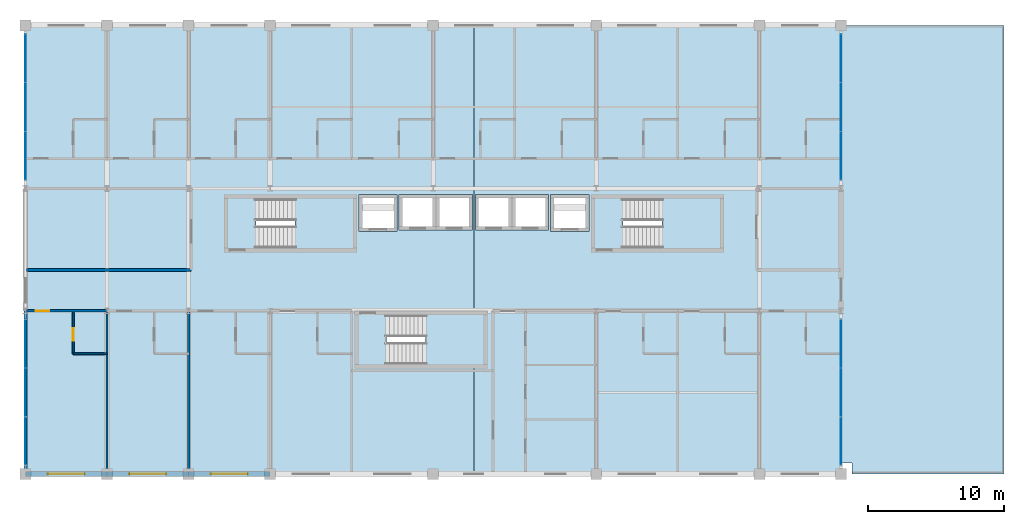
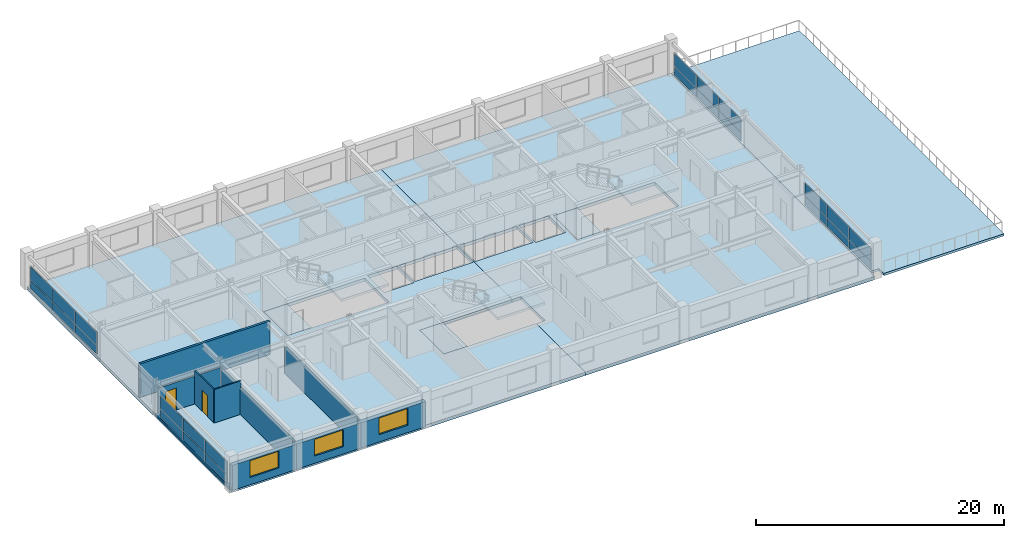
# One storey, part 20 of 27: 24 plates, 10 walls, 9 slabs, 3 windows, 2 doors, 5 openings, 7 elements without a shape of their own.
"""IFC4 building model written with IfcOpenShell, lengths in metres."""

from ifc_helpers import new_model, si_unit, direction, frame, frame_2d, origin, origin_2d, place, context, subcontext, project, spatial, polyline, rectangle, outline, extrude, material, layer, layer_set, type_object, element, fill, aggregate, save


model = new_model("IFC4")

# Units and contexts
model_context = context("Model", 3, precision=1e-05, world=origin(), true_north=direction((0.0, 1.0)))
body_context = subcontext(model_context, "Body", "Model", "MODEL_VIEW")
ifc_project = project(units=[si_unit("LENGTHUNIT", "METRE"), si_unit("AREAUNIT", "SQUARE_METRE"), si_unit("VOLUMEUNIT", "CUBIC_METRE"), si_unit("PLANEANGLEUNIT", "RADIAN"), si_unit("MASSUNIT", "GRAM", prefix="KILO")], contexts=[model_context])

# Site, building, storey
site_placement = place(None, origin())
site = spatial("IfcSite", under=ifc_project, at=site_placement, CompositionType="ELEMENT")
building_placement = place(site_placement, origin())
building = spatial("IfcBuilding", under=site, at=building_placement, Name="Kaldorvane Square Convention Centre", CompositionType="ELEMENT")
storey_placement = place(building_placement, frame((0.0, 0.0, 38.399993896484375)))
storey = spatial("IfcBuildingStorey", under=building, at=storey_placement, Name="L08", CompositionType="ELEMENT", Elevation=38.399993896484375)

# Curtain wall, plates
ifc_material_1 = material(Name="Anodized Aluminum and Low-E Insulated Glazing", Category="aluminium")
curtain_wall_type_1 = type_object("IfcCurtainWallType", Name="CW-UNI-HTL-A", PredefinedType="USERDEFINED", material=ifc_material_1)
curtain_wall_1_placement = place(storey_placement, origin())
curtain_wall_1 = element("IfcCurtainWall", 1, at=curtain_wall_1_placement, inside=storey, type_object=curtain_wall_type_1, Name="Curtain Wall CW-10 (L08)", ObjectType="UNITISED GLAZING", PredefinedType="USERDEFINED")
ifc_layer_1 = layer(ifc_material_1, 0.0240020751953125)
ifc_layer_set_1 = layer_set([ifc_layer_1], Name="Anodized Aluminum and Low-E Insulated Glazing")
plate_type_1 = type_object("IfcPlateType", Name="CW-PNL-11", PredefinedType="CURTAIN_PANEL", material=ifc_layer_set_1)
plate_1_placement = place(storey_placement, frame((84.0, 86.41499328613281, 0.2050018310546875), z_axis=(0.0, 0.0, 1.0), x_axis=(0.0, 1.0, 0.0)))
plate_1 = element("IfcPlate", 2, at=plate_1_placement, type_object=plate_type_1, Name="CW-10 panel 1.1", PredefinedType="CURTAIN_PANEL", context=body_context, shape_type="SweptSolid", body=[
    extrude(rectangle(XDim=3.5099945068359375, YDim=0.0240020751953125, at=origin_2d()), origin(), (0.0, 0.0, 1.0), 0.8175048828125),
])
plate_2_placement = place(storey_placement, frame((84.0, 86.41499328613281, 1.0775146484375), z_axis=(0.0, 0.0, 1.0), x_axis=(0.0, 1.0, 0.0)))
plate_2 = element("IfcPlate", 3, at=plate_2_placement, type_object=plate_type_1, Name="CW-10 panel 1.2", PredefinedType="CURTAIN_PANEL", context=body_context, shape_type="SweptSolid", body=[
    extrude(rectangle(XDim=3.5099945068359375, YDim=0.0240020751953125, at=origin_2d()), origin(), (0.0, 0.0, 1.0), 1.277496337890625),
])
plate_3_placement = place(storey_placement, frame((84.0, 90.0, 0.2050018310546875), z_axis=(0.0, 0.0, 1.0), x_axis=(0.0, 1.0, 0.0)))
plate_3 = element("IfcPlate", 4, at=plate_3_placement, type_object=plate_type_1, Name="CW-10 panel 2.1", PredefinedType="CURTAIN_PANEL", context=body_context, shape_type="SweptSolid", body=[
    extrude(rectangle(XDim=3.5399932861328125, YDim=0.0240020751953125, at=origin_2d()), origin(), (0.0, 0.0, 1.0), 0.8175048828125),
])
plate_4_placement = place(storey_placement, frame((84.0, 90.0, 1.0775146484375), z_axis=(0.0, 0.0, 1.0), x_axis=(0.0, 1.0, 0.0)))
plate_4 = element("IfcPlate", 5, at=plate_4_placement, type_object=plate_type_1, Name="CW-10 panel 2.2", PredefinedType="CURTAIN_PANEL", context=body_context, shape_type="SweptSolid", body=[
    extrude(rectangle(XDim=3.5399932861328125, YDim=0.0240020751953125, at=origin_2d()), origin(), (0.0, 0.0, 1.0), 1.277496337890625),
])
plate_5_placement = place(storey_placement, frame((84.0, 93.58500671386719, 0.2050018310546875), z_axis=(0.0, 0.0, 1.0), x_axis=(0.0, 1.0, 0.0)))
plate_5 = element("IfcPlate", 6, at=plate_5_placement, type_object=plate_type_1, Name="CW-10 panel 3.1", PredefinedType="CURTAIN_PANEL", context=body_context, shape_type="SweptSolid", body=[
    extrude(rectangle(XDim=3.5099945068359375, YDim=0.0240020751953125, at=origin_2d()), origin(), (0.0, 0.0, 1.0), 0.8175048828125),
])
plate_6_placement = place(storey_placement, frame((84.0, 93.58500671386719, 1.0775146484375), z_axis=(0.0, 0.0, 1.0), x_axis=(0.0, 1.0, 0.0)))
plate_6 = element("IfcPlate", 7, at=plate_6_placement, type_object=plate_type_1, Name="CW-10 panel 3.2", PredefinedType="CURTAIN_PANEL", context=body_context, shape_type="SweptSolid", body=[
    extrude(rectangle(XDim=3.5099945068359375, YDim=0.0240020751953125, at=origin_2d()), origin(), (0.0, 0.0, 1.0), 1.277496337890625),
])
aggregate(curtain_wall_1, [plate_1, plate_2, plate_3, plate_4, plate_5, plate_6])

curtain_wall_2_placement = place(storey_placement, origin())
curtain_wall_2 = element("IfcCurtainWall", 8, at=curtain_wall_2_placement, inside=storey, type_object=curtain_wall_type_1, Name="Curtain Wall CW-10 (L08)", ObjectType="UNITISED GLAZING", PredefinedType="USERDEFINED")
plate_7_placement = place(storey_placement, frame((84.0, 107.41499328613281, 0.2050018310546875), z_axis=(0.0, 0.0, 1.0), x_axis=(0.0, 1.0, 0.0)))
plate_7 = element("IfcPlate", 9, at=plate_7_placement, type_object=plate_type_1, Name="CW-10 panel 1.1", PredefinedType="CURTAIN_PANEL", context=body_context, shape_type="SweptSolid", body=[
    extrude(rectangle(XDim=3.5099945068359375, YDim=0.0240020751953125, at=origin_2d()), origin(), (0.0, 0.0, 1.0), 0.8175048828125),
])
plate_8_placement = place(storey_placement, frame((84.0, 107.41499328613281, 1.0775146484375), z_axis=(0.0, 0.0, 1.0), x_axis=(0.0, 1.0, 0.0)))
plate_8 = element("IfcPlate", 10, at=plate_8_placement, type_object=plate_type_1, Name="CW-10 panel 1.2", PredefinedType="CURTAIN_PANEL", context=body_context, shape_type="SweptSolid", body=[
    extrude(rectangle(XDim=3.5099945068359375, YDim=0.0240020751953125, at=origin_2d()), origin(), (0.0, 0.0, 1.0), 1.277496337890625),
])
plate_9_placement = place(storey_placement, frame((84.0, 111.0, 0.2050018310546875), z_axis=(0.0, 0.0, 1.0), x_axis=(0.0, 1.0, 0.0)))
plate_9 = element("IfcPlate", 11, at=plate_9_placement, type_object=plate_type_1, Name="CW-10 panel 2.1", PredefinedType="CURTAIN_PANEL", context=body_context, shape_type="SweptSolid", body=[
    extrude(rectangle(XDim=3.5399932861328125, YDim=0.0240020751953125, at=origin_2d()), origin(), (0.0, 0.0, 1.0), 0.8175048828125),
])
plate_10_placement = place(storey_placement, frame((84.0, 111.0, 1.0775146484375), z_axis=(0.0, 0.0, 1.0), x_axis=(0.0, 1.0, 0.0)))
plate_10 = element("IfcPlate", 12, at=plate_10_placement, type_object=plate_type_1, Name="CW-10 panel 2.2", PredefinedType="CURTAIN_PANEL", context=body_context, shape_type="SweptSolid", body=[
    extrude(rectangle(XDim=3.5399932861328125, YDim=0.0240020751953125, at=origin_2d()), origin(), (0.0, 0.0, 1.0), 1.277496337890625),
])
plate_11_placement = place(storey_placement, frame((84.0, 114.58500671386719, 0.2050018310546875), z_axis=(0.0, 0.0, 1.0), x_axis=(0.0, 1.0, 0.0)))
plate_11 = element("IfcPlate", 13, at=plate_11_placement, type_object=plate_type_1, Name="CW-10 panel 3.1", PredefinedType="CURTAIN_PANEL", context=body_context, shape_type="SweptSolid", body=[
    extrude(rectangle(XDim=3.5099945068359375, YDim=0.0240020751953125, at=origin_2d()), origin(), (0.0, 0.0, 1.0), 0.8175048828125),
])
plate_12_placement = place(storey_placement, frame((84.0, 114.58500671386719, 1.0775146484375), z_axis=(0.0, 0.0, 1.0), x_axis=(0.0, 1.0, 0.0)))
plate_12 = element("IfcPlate", 14, at=plate_12_placement, type_object=plate_type_1, Name="CW-10 panel 3.2", PredefinedType="CURTAIN_PANEL", context=body_context, shape_type="SweptSolid", body=[
    extrude(rectangle(XDim=3.5099945068359375, YDim=0.0240020751953125, at=origin_2d()), origin(), (0.0, 0.0, 1.0), 1.277496337890625),
])
aggregate(curtain_wall_2, [plate_7, plate_8, plate_9, plate_10, plate_11, plate_12])

curtain_wall_type_2 = type_object("IfcCurtainWallType", Name="CW-UNI-HTL-B", PredefinedType="USERDEFINED", material=ifc_material_1)
curtain_wall_3_placement = place(storey_placement, origin())
curtain_wall_3 = element("IfcCurtainWall", 15, at=curtain_wall_3_placement, inside=storey, type_object=curtain_wall_type_2, Name="Curtain Wall CW-11 (L08)", ObjectType="UNITISED GLAZING", PredefinedType="USERDEFINED")
ifc_layer_2 = layer(ifc_material_1, 0.0460052490234375)
ifc_layer_set_2 = layer_set([ifc_layer_2], Name="Anodized Aluminum and Low-E Insulated Glazing")
plate_type_2 = type_object("IfcPlateType", Name="CW-PNL-12", PredefinedType="CURTAIN_PANEL", material=ifc_layer_set_2)
plate_13_placement = place(storey_placement, frame((24.0, 93.58500671386719, 0.2050018310546875), z_axis=(0.0, 0.0, 1.0), x_axis=(0.0, -1.0, 0.0)))
plate_13 = element("IfcPlate", 16, at=plate_13_placement, type_object=plate_type_2, Name="CW-11 panel 1.1", PredefinedType="CURTAIN_PANEL", context=body_context, shape_type="SweptSolid", body=[
    extrude(rectangle(XDim=3.5099945068359375, YDim=0.0460052490234375, at=origin_2d()), origin(), (0.0, 0.0, 1.0), 0.8175048828125),
])
plate_14_placement = place(storey_placement, frame((24.0, 93.58500671386719, 1.0775146484375), z_axis=(0.0, 0.0, 1.0), x_axis=(0.0, -1.0, 0.0)))
plate_14 = element("IfcPlate", 17, at=plate_14_placement, type_object=plate_type_2, Name="CW-11 panel 1.2", PredefinedType="CURTAIN_PANEL", context=body_context, shape_type="SweptSolid", body=[
    extrude(rectangle(XDim=3.5099945068359375, YDim=0.0460052490234375, at=origin_2d()), origin(), (0.0, 0.0, 1.0), 1.277496337890625),
])
plate_15_placement = place(storey_placement, frame((24.0, 90.0, 0.2050018310546875), z_axis=(0.0, 0.0, 1.0), x_axis=(0.0, -1.0, 0.0)))
plate_15 = element("IfcPlate", 18, at=plate_15_placement, type_object=plate_type_2, Name="CW-11 panel 2.1", PredefinedType="CURTAIN_PANEL", context=body_context, shape_type="SweptSolid", body=[
    extrude(rectangle(XDim=3.5399932861328125, YDim=0.0460052490234375, at=origin_2d()), origin(), (0.0, 0.0, 1.0), 0.8175048828125),
])
plate_16_placement = place(storey_placement, frame((24.0, 90.0, 1.0775146484375), z_axis=(0.0, 0.0, 1.0), x_axis=(0.0, -1.0, 0.0)))
plate_16 = element("IfcPlate", 19, at=plate_16_placement, type_object=plate_type_2, Name="CW-11 panel 2.2", PredefinedType="CURTAIN_PANEL", context=body_context, shape_type="SweptSolid", body=[
    extrude(rectangle(XDim=3.5399932861328125, YDim=0.0460052490234375, at=origin_2d()), origin(), (0.0, 0.0, 1.0), 1.277496337890625),
])
plate_17_placement = place(storey_placement, frame((24.0, 86.41499328613281, 0.2050018310546875), z_axis=(0.0, 0.0, 1.0), x_axis=(0.0, -1.0, 0.0)))
plate_17 = element("IfcPlate", 20, at=plate_17_placement, type_object=plate_type_2, Name="CW-11 panel 3.1", PredefinedType="CURTAIN_PANEL", context=body_context, shape_type="SweptSolid", body=[
    extrude(rectangle(XDim=3.5099945068359375, YDim=0.0460052490234375, at=origin_2d()), origin(), (0.0, 0.0, 1.0), 0.8175048828125),
])
plate_18_placement = place(storey_placement, frame((24.0, 86.41499328613281, 1.0775146484375), z_axis=(0.0, 0.0, 1.0), x_axis=(0.0, -1.0, 0.0)))
plate_18 = element("IfcPlate", 21, at=plate_18_placement, type_object=plate_type_2, Name="CW-11 panel 3.2", PredefinedType="CURTAIN_PANEL", context=body_context, shape_type="SweptSolid", body=[
    extrude(rectangle(XDim=3.5099945068359375, YDim=0.0460052490234375, at=origin_2d()), origin(), (0.0, 0.0, 1.0), 1.277496337890625),
])
aggregate(curtain_wall_3, [plate_13, plate_14, plate_15, plate_16, plate_17, plate_18])

curtain_wall_4_placement = place(storey_placement, origin())
curtain_wall_4 = element("IfcCurtainWall", 22, at=curtain_wall_4_placement, inside=storey, type_object=curtain_wall_type_2, Name="Curtain Wall CW-11 (L08)", ObjectType="UNITISED GLAZING", PredefinedType="USERDEFINED")
plate_19_placement = place(storey_placement, frame((24.0, 114.58500671386719, 0.2050018310546875), z_axis=(0.0, 0.0, 1.0), x_axis=(0.0, -1.0, 0.0)))
plate_19 = element("IfcPlate", 23, at=plate_19_placement, type_object=plate_type_2, Name="CW-11 panel 1.1", PredefinedType="CURTAIN_PANEL", context=body_context, shape_type="SweptSolid", body=[
    extrude(rectangle(XDim=3.5099945068359375, YDim=0.0460052490234375, at=origin_2d()), origin(), (0.0, 0.0, 1.0), 0.8175048828125),
])
plate_20_placement = place(storey_placement, frame((24.0, 114.58500671386719, 1.0775146484375), z_axis=(0.0, 0.0, 1.0), x_axis=(0.0, -1.0, 0.0)))
plate_20 = element("IfcPlate", 24, at=plate_20_placement, type_object=plate_type_2, Name="CW-11 panel 1.2", PredefinedType="CURTAIN_PANEL", context=body_context, shape_type="SweptSolid", body=[
    extrude(rectangle(XDim=3.5099945068359375, YDim=0.0460052490234375, at=origin_2d()), origin(), (0.0, 0.0, 1.0), 1.277496337890625),
])
plate_21_placement = place(storey_placement, frame((24.0, 111.0, 0.2050018310546875), z_axis=(0.0, 0.0, 1.0), x_axis=(0.0, -1.0, 0.0)))
plate_21 = element("IfcPlate", 25, at=plate_21_placement, type_object=plate_type_2, Name="CW-11 panel 2.1", PredefinedType="CURTAIN_PANEL", context=body_context, shape_type="SweptSolid", body=[
    extrude(rectangle(XDim=3.5399932861328125, YDim=0.0460052490234375, at=origin_2d()), origin(), (0.0, 0.0, 1.0), 0.8175048828125),
])
plate_22_placement = place(storey_placement, frame((24.0, 111.0, 1.0775146484375), z_axis=(0.0, 0.0, 1.0), x_axis=(0.0, -1.0, 0.0)))
plate_22 = element("IfcPlate", 26, at=plate_22_placement, type_object=plate_type_2, Name="CW-11 panel 2.2", PredefinedType="CURTAIN_PANEL", context=body_context, shape_type="SweptSolid", body=[
    extrude(rectangle(XDim=3.5399932861328125, YDim=0.0460052490234375, at=origin_2d()), origin(), (0.0, 0.0, 1.0), 1.277496337890625),
])
plate_23_placement = place(storey_placement, frame((24.0, 107.41499328613281, 0.2050018310546875), z_axis=(0.0, 0.0, 1.0), x_axis=(0.0, -1.0, 0.0)))
plate_23 = element("IfcPlate", 27, at=plate_23_placement, type_object=plate_type_2, Name="CW-11 panel 3.1", PredefinedType="CURTAIN_PANEL", context=body_context, shape_type="SweptSolid", body=[
    extrude(rectangle(XDim=3.5099945068359375, YDim=0.0460052490234375, at=origin_2d()), origin(), (0.0, 0.0, 1.0), 0.8175048828125),
])
plate_24_placement = place(storey_placement, frame((24.0, 107.41499328613281, 1.0775146484375), z_axis=(0.0, 0.0, 1.0), x_axis=(0.0, -1.0, 0.0)))
plate_24 = element("IfcPlate", 28, at=plate_24_placement, type_object=plate_type_2, Name="CW-11 panel 3.2", PredefinedType="CURTAIN_PANEL", context=body_context, shape_type="SweptSolid", body=[
    extrude(rectangle(XDim=3.5099945068359375, YDim=0.0460052490234375, at=origin_2d()), origin(), (0.0, 0.0, 1.0), 1.277496337890625),
])
aggregate(curtain_wall_4, [plate_19, plate_20, plate_21, plate_22, plate_23, plate_24])

# Slabs
ifc_material_2 = material(Name="Concrete f'c = 42 MPa (Normalweight)", Category="concrete")
ifc_layer_3 = layer(ifc_material_2, 0.279998779296875)
ifc_layer_set_3 = layer_set([ifc_layer_3], Name="Concrete f'c = 42 MPa (Normalweight)")
slab_type_1 = type_object("IfcSlabType", Name="SL-FLND-280", PredefinedType="FLOOR", material=ifc_layer_set_3)
slab_1_placement = place(storey_placement, frame((0.0, 0.0, -0.279998779296875)))
element("IfcSlab", 29, at=slab_1_placement, inside=storey, type_object=slab_type_1, Name="Tower Exit Stair T1 Floor Landing (L08)", PredefinedType="FLOOR", context=body_context, shape_type="SweptSolid", body=[
    extrude(outline(polyline([(38.779998779296875, 100.49000549316406), (40.97999572753906, 100.49000549316406), (40.97999572753906, 104.3699951171875), (38.779998779296875, 104.3699951171875), (38.779998779296875, 100.49000549316406)])), origin(), (0.0, 0.0, 1.0), 0.279998779296875),
])
slab_2_placement = place(storey_placement, frame((0.0, 0.0, -0.279998779296875)))
element("IfcSlab", 30, at=slab_2_placement, inside=storey, type_object=slab_type_1, Name="Tower Exit Stair T2 Floor Landing (L08)", PredefinedType="FLOOR", context=body_context, shape_type="SweptSolid", body=[
    extrude(outline(polyline([(65.77999877929688, 100.49000549316406), (67.97999572753906, 100.49000549316406), (67.97999572753906, 104.3699951171875), (65.77999877929688, 104.3699951171875), (65.77999877929688, 100.49000549316406)])), origin(), (0.0, 0.0, 1.0), 0.279998779296875),
])
slab_3_placement = place(storey_placement, frame((0.0, 0.0, -0.279998779296875)))
element("IfcSlab", 31, at=slab_3_placement, inside=storey, type_object=slab_type_1, Name="Tower Exit Stair T3 Floor Landing (L08)", PredefinedType="FLOOR", context=body_context, shape_type="SweptSolid", body=[
    extrude(outline(polyline([(48.3800048828125, 91.94000244140625), (50.58000183105469, 91.94000244140625), (50.58000183105469, 95.82000732421875), (48.3800048828125, 95.82000732421875), (48.3800048828125, 91.94000244140625)])), origin(), (0.0, 0.0, 1.0), 0.279998779296875),
])
ifc_layer_4 = layer(ifc_material_2, 0.30999755859375)
ifc_layer_set_4 = layer_set([ifc_layer_4], Name="Concrete f'c = 42 MPa (Normalweight)")
slab_type_2 = type_object("IfcSlabType", Name="SL-HTL-250", PredefinedType="FLOOR", material=ifc_layer_set_4)
slab_4_placement = place(storey_placement, frame((0.0, 0.0, -0.30999755859375)))
element("IfcSlab", 32, at=slab_4_placement, inside=storey, type_object=slab_type_2, Name="Hotel Tower Floor Slab L08-1.1", PredefinedType="FLOOR", context=body_context, shape_type="SweptSolid", body=[
    extrude(outline(polyline([(24.0, 117.0), (57.0, 117.0), (57.0, 95.82000732421875), (48.3800048828125, 95.82000732421875), (48.3800048828125, 91.94000244140625), (57.0, 91.94000244140625), (57.0, 84.0), (24.0, 84.0), (24.0, 117.0)]), holes=[polyline([(38.779998779296875, 104.3699951171875), (38.779998779296875, 100.49000549316406), (48.220001220703125, 100.49000549316406), (48.220001220703125, 104.3699951171875), (38.779998779296875, 104.3699951171875)]), polyline([(48.55000305175781, 104.55000305175781), (48.55000305175781, 101.85000610351562), (51.350006103515625, 101.85000610351562), (51.350006103515625, 104.55000305175781), (48.55000305175781, 104.55000305175781)]), polyline([(51.5, 104.55000305175781), (51.5, 101.94999694824219), (54.19999694824219, 101.94999694824219), (56.899993896484375, 101.94999694824219), (56.899993896484375, 104.55000305175781), (54.19999694824219, 104.55000305175781), (51.5, 104.55000305175781)])]), origin(), (0.0, 0.0, 1.0), 0.30999755859375),
])
slab_5_placement = place(storey_placement, frame((0.0, 0.0, -0.30999755859375)))
element("IfcSlab", 33, at=slab_5_placement, inside=storey, type_object=slab_type_2, Name="Hotel Tower Floor Slab L08-2.1", PredefinedType="FLOOR", context=body_context, shape_type="SweptSolid", body=[
    extrude(outline(polyline([(84.0, 117.0), (84.0, 84.0), (57.0, 84.0), (57.0, 91.94000244140625), (57.82000732421875, 91.94000244140625), (57.82000732421875, 95.82000732421875), (57.0, 95.82000732421875), (57.0, 117.0), (84.0, 117.0)]), holes=[polyline([(65.77999877929688, 104.3699951171875), (65.77999877929688, 100.49000549316406), (75.22000122070312, 100.49000549316406), (75.22000122070312, 104.3699951171875), (65.77999877929688, 104.3699951171875)]), polyline([(62.649993896484375, 104.55000305175781), (62.649993896484375, 101.85000610351562), (65.44999694824219, 101.85000610351562), (65.44999694824219, 104.55000305175781), (62.649993896484375, 104.55000305175781)]), polyline([(57.100006103515625, 104.55000305175781), (57.100006103515625, 101.94999694824219), (59.80000305175781, 101.94999694824219), (62.5, 101.94999694824219), (62.5, 104.55000305175781), (59.80000305175781, 104.55000305175781), (57.100006103515625, 104.55000305175781)])]), origin(), (0.0, 0.0, 1.0), 0.30999755859375),
])

# Stair, slab
stair_type = type_object("IfcStairType", Name="ST-DL-1600-3600", PredefinedType="HALF_TURN_STAIR", material=ifc_material_2)
stair_1_placement = place(storey_placement, origin())
stair_1 = element("IfcStair", 34, at=stair_1_placement, inside=storey, type_object=stair_type, Name="Tower Exit Stair T1 (L08)", PredefinedType="HALF_TURN_STAIR")
ifc_layer_5 = layer(ifc_material_2, 0.2400054931640625)
ifc_layer_set_5 = layer_set([ifc_layer_5], Name="Concrete f'c = 42 MPa (Normalweight)")
slab_type_3 = type_object("IfcSlabType", Name="SL-LAND-240", PredefinedType="LANDING", material=ifc_layer_set_5)
slab_6_placement = place(storey_placement, frame((0.0, 0.0, 1.5600128173828125)))
slab_6 = element("IfcSlab", 35, at=slab_6_placement, type_object=slab_type_3, Name="Tower Exit Stair T1 Half Landing (L08)", PredefinedType="LANDING", context=body_context, shape_type="SweptSolid", body=[
    extrude(outline(polyline([(43.82000732421875, 100.49000549316406), (48.220001220703125, 100.49000549316406), (48.220001220703125, 104.3699951171875), (43.82000732421875, 104.3699951171875), (43.82000732421875, 100.49000549316406)])), origin(), (0.0, 0.0, 1.0), 0.239990234375),
])
aggregate(stair_1, [slab_6])

stair_2_placement = place(storey_placement, origin())
stair_2 = element("IfcStair", 36, at=stair_2_placement, inside=storey, type_object=stair_type, Name="Tower Exit Stair T2 (L08)", PredefinedType="HALF_TURN_STAIR")
slab_7_placement = place(storey_placement, frame((0.0, 0.0, 1.5600128173828125)))
slab_7 = element("IfcSlab", 37, at=slab_7_placement, type_object=slab_type_3, Name="Tower Exit Stair T2 Half Landing (L08)", PredefinedType="LANDING", context=body_context, shape_type="SweptSolid", body=[
    extrude(outline(polyline([(70.82000732421875, 100.49000549316406), (75.22000122070312, 100.49000549316406), (75.22000122070312, 104.3699951171875), (70.82000732421875, 104.3699951171875), (70.82000732421875, 100.49000549316406)])), origin(), (0.0, 0.0, 1.0), 0.239990234375),
])
aggregate(stair_2, [slab_7])

stair_3_placement = place(storey_placement, origin())
stair_3 = element("IfcStair", 38, at=stair_3_placement, inside=storey, type_object=stair_type, Name="Tower Exit Stair T3 (L08)", PredefinedType="HALF_TURN_STAIR")
slab_8_placement = place(storey_placement, frame((0.0, 0.0, 1.5600128173828125)))
slab_8 = element("IfcSlab", 39, at=slab_8_placement, type_object=slab_type_3, Name="Tower Exit Stair T3 Half Landing (L08)", PredefinedType="LANDING", context=body_context, shape_type="SweptSolid", body=[
    extrude(outline(polyline([(53.41999816894531, 91.94000244140625), (57.82000732421875, 91.94000244140625), (57.82000732421875, 95.82000732421875), (53.41999816894531, 95.82000732421875), (53.41999816894531, 91.94000244140625)])), origin(), (0.0, 0.0, 1.0), 0.239990234375),
])
aggregate(stair_3, [slab_8])

# Slab
ifc_layer_6 = layer(ifc_material_2, 0.225006103515625)
ifc_layer_set_6 = layer_set([ifc_layer_6], Name="Concrete f'c = 42 MPa (Normalweight)")
slab_type_4 = type_object("IfcSlabType", Name="SL-TERR-225", PredefinedType="FLOOR", material=ifc_layer_set_6)
slab_9_placement = place(storey_placement, frame((0.0, 0.0, -0.2249908447265625)))
element("IfcSlab", 40, at=slab_9_placement, inside=storey, type_object=slab_type_4, Name="East Setback Sky Terrace Slab (L08)", PredefinedType="FLOOR", context=body_context, shape_type="SweptSolid", body=[
    extrude(outline(polyline([(84.0, 117.0), (96.0, 117.0), (96.0, 84.0), (84.80000305175781, 84.0), (84.80000305175781, 84.80000305175781), (84.0, 84.80000305175781), (84.0, 117.0)])), origin(), (0.0, 0.0, 1.0), 0.2249908447265625),
])

# Wall, opening, door
ifc_material_3 = material(Name="Fire-Rated Gypsum Board on Acoustic Steel Studs", Category="steel")
ifc_layer_7 = layer(ifc_material_3, 0.125)
ifc_layer_set_7 = layer_set([ifc_layer_7], Name="Fire-Rated Gypsum Board on Acoustic Steel Studs")
wall_type_1 = type_object("IfcWallType", Name="WL-BATH-125", PredefinedType="PARTITIONING", material=ifc_layer_set_7)
wall_1_placement = place(storey_placement, frame((27.520004272460938, 92.85000610351562, 0.0), z_axis=(0.0, 0.0, 1.0), x_axis=(0.0, 1.0, 0.0)))
wall_1 = element("IfcWall", 41, at=wall_1_placement, inside=storey, type_object=wall_type_1, Name="En-Suite 811 West Wall", PredefinedType="PARTITIONING", context=body_context, shape_type="SweptSolid", body=[
    extrude(rectangle(XDim=3.05999755859375, YDim=0.125, at=frame_2d((1.529998779296875, 0.0))), origin(), (0.0, 0.0, 1.0), 3.290008544921875),
])
opening_1_placement = place(wall_1_placement, frame((0.9499969482421875, 0.0, 0.0)))
opening_1 = element("IfcOpeningElement", 42, at=opening_1_placement, cuts=wall_1, Name="Opening ID-12", PredefinedType="OPENING", context=body_context, shape_type="SweptSolid", body=[
    extrude(rectangle(XDim=0.9199981689453125, YDim=2.100006103515625, at=frame_2d((0.459991455078125, 1.0500030517578125))), frame((0.0, 0.0774993896484375, 0.0), z_axis=(0.0, -1.0, 0.0), x_axis=(1.0, 0.0, 0.0)), (0.0, 0.0, 1.0), 0.154998779296875),
])
ifc_material_4 = material(Name="Architectural Solid-Core White Oak")
door_type_1 = type_object("IfcDoorType", Name="DR-BATH-0920X2100", OperationType="SINGLE_SWING_RIGHT", PredefinedType="DOOR", material=ifc_material_4)
door_1_placement = place(opening_1_placement, origin())
door_1 = element("IfcDoor", 43, at=door_1_placement, inside=storey, type_object=door_type_1, Name="En-Suite Bathroom 811 Door", OperationType="SINGLE_SWING_RIGHT", OverallHeight=2.100006103515625, OverallWidth=0.9199981689453125, PredefinedType="DOOR", context=body_context, shape_type="SweptSolid", body=[
    extrude(rectangle(XDim=0.9199981689453125, YDim=2.100006103515625, at=frame_2d((0.459991455078125, 1.0500030517578125))), frame((0.0, 0.024993896484375, 0.0), z_axis=(0.0, -1.0, 0.0), x_axis=(1.0, 0.0, 0.0)), (0.0, 0.0, 1.0), 0.0500030517578125),
])
fill(opening_1, door_1)

# Walls
wall_2_placement = place(storey_placement, frame((27.520004272460938, 92.85000610351562, 0.0), z_axis=(0.0, 0.0, 1.0), x_axis=(1.0, 0.0, 0.0)))
element("IfcWall", 44, at=wall_2_placement, inside=storey, type_object=wall_type_1, Name="En-Suite 811 South Wall", PredefinedType="PARTITIONING", context=body_context, shape_type="SweptSolid", body=[
    extrude(rectangle(XDim=2.4799957275390625, YDim=0.125, at=frame_2d((1.239990234375, 0.0))), origin(), (0.0, 0.0, 1.0), 3.290008544921875),
])
ifc_layer_8 = layer(ifc_material_3, 0.1999969482421875)
ifc_layer_set_8 = layer_set([ifc_layer_8], Name="Fire-Rated Gypsum Board on Acoustic Steel Studs")
wall_type_2 = type_object("IfcWallType", Name="WL-CORR-200", PredefinedType="PARTITIONING", material=ifc_layer_set_8)
wall_3_placement = place(storey_placement, frame((24.085006713867188, 99.0, 0.0), z_axis=(0.0, 0.0, 1.0), x_axis=(1.0, 0.0, 0.0)))
element("IfcWall", 45, at=wall_3_placement, inside=storey, type_object=wall_type_2, Name="West Sunset Sitting Alcove (L08) S Wall", PredefinedType="PARTITIONING", context=body_context, shape_type="SweptSolid", body=[
    extrude(rectangle(XDim=12.114990234375, YDim=0.1999969482421875, at=frame_2d((6.0574951171875, 0.0))), origin(), (0.0, 0.0, 1.0), 3.290008544921875),
])

# Wall, opening, window
ifc_layer_9 = layer(ifc_material_2, 0.350006103515625)
ifc_layer_set_9 = layer_set([ifc_layer_9], Name="Concrete f'c = 42 MPa (Normalweight)")
wall_type_3 = type_object("IfcWallType", Name="WL-EXT-350", PredefinedType="STANDARD", material=ifc_layer_set_9)
wall_4_placement = place(storey_placement, frame((24.0, 84.0, 0.0), z_axis=(0.0, 0.0, 1.0), x_axis=(1.0, 0.0, 0.0)))
wall_4 = element("IfcWall", 46, at=wall_4_placement, inside=storey, type_object=wall_type_3, Name="Hotel S Brutalist Facade Wall (L08)", PredefinedType="STANDARD", context=body_context, shape_type="SweptSolid", body=[
    extrude(rectangle(XDim=6.0, YDim=0.350006103515625, at=frame_2d((3.0, 0.0))), origin(), (0.0, 0.0, 1.0), 2.4860076904296875),
])
opening_2_placement = place(wall_4_placement, frame((1.649993896484375, 0.0, 0.720001220703125)))
opening_2 = element("IfcOpeningElement", 47, at=opening_2_placement, cuts=wall_4, Name="Opening W-03", PredefinedType="OPENING", context=body_context, shape_type="SweptSolid", body=[
    extrude(rectangle(XDim=2.6999969482421875, YDim=1.649993896484375, at=frame_2d((1.350006103515625, 0.8249969482421875))), frame((0.0, 0.19000244140625, 0.0), z_axis=(0.0, -1.0, 0.0), x_axis=(1.0, 0.0, 0.0)), (0.0, 0.0, 1.0), 0.3800048828125),
])
window_type = type_object("IfcWindowType", Name="WN-HTL-2700X1650", PartitioningType="TRIPLE_PANEL_VERTICAL", PredefinedType="WINDOW", material=ifc_material_1)
window_1_placement = place(opening_2_placement, origin())
window_1 = element("IfcWindow", 48, at=window_1_placement, inside=storey, type_object=window_type, Name="Hotel S Window (L08)", OverallHeight=1.649993896484375, OverallWidth=2.6999969482421875, PartitioningType="TRIPLE_PANEL_VERTICAL", PredefinedType="WINDOW", context=body_context, shape_type="SweptSolid", body=[
    extrude(rectangle(XDim=2.6999969482421875, YDim=1.649993896484375, at=frame_2d((1.350006103515625, 0.8249969482421875))), frame((0.0, 0.029998779296875, 0.0), z_axis=(0.0, -1.0, 0.0), x_axis=(1.0, 0.0, 0.0)), (0.0, 0.0, 1.0), 0.05999755859375),
])
fill(opening_2, window_1)

wall_5_placement = place(storey_placement, frame((30.0, 84.0, 0.0), z_axis=(0.0, 0.0, 1.0), x_axis=(1.0, 0.0, 0.0)))
wall_5 = element("IfcWall", 49, at=wall_5_placement, inside=storey, type_object=wall_type_3, Name="Hotel S Brutalist Facade Wall (L08)", PredefinedType="STANDARD", context=body_context, shape_type="SweptSolid", body=[
    extrude(rectangle(XDim=6.0, YDim=0.350006103515625, at=frame_2d((3.0, 0.0))), origin(), (0.0, 0.0, 1.0), 2.4860076904296875),
])
opening_3_placement = place(wall_5_placement, frame((1.649993896484375, 0.0, 0.720001220703125)))
opening_3 = element("IfcOpeningElement", 50, at=opening_3_placement, cuts=wall_5, Name="Opening W-03", PredefinedType="OPENING", context=body_context, shape_type="SweptSolid", body=[
    extrude(rectangle(XDim=2.6999969482421875, YDim=1.649993896484375, at=frame_2d((1.350006103515625, 0.8249969482421875))), frame((0.0, 0.19000244140625, 0.0), z_axis=(0.0, -1.0, 0.0), x_axis=(1.0, 0.0, 0.0)), (0.0, 0.0, 1.0), 0.3800048828125),
])
window_2_placement = place(opening_3_placement, origin())
window_2 = element("IfcWindow", 51, at=window_2_placement, inside=storey, type_object=window_type, Name="Hotel S Window (L08)", OverallHeight=1.649993896484375, OverallWidth=2.6999969482421875, PartitioningType="TRIPLE_PANEL_VERTICAL", PredefinedType="WINDOW", context=body_context, shape_type="SweptSolid", body=[
    extrude(rectangle(XDim=2.6999969482421875, YDim=1.649993896484375, at=frame_2d((1.350006103515625, 0.8249969482421875))), frame((0.0, 0.029998779296875, 0.0), z_axis=(0.0, -1.0, 0.0), x_axis=(1.0, 0.0, 0.0)), (0.0, 0.0, 1.0), 0.05999755859375),
])
fill(opening_3, window_2)

wall_6_placement = place(storey_placement, frame((36.0, 84.0, 0.0), z_axis=(0.0, 0.0, 1.0), x_axis=(1.0, 0.0, 0.0)))
wall_6 = element("IfcWall", 52, at=wall_6_placement, inside=storey, type_object=wall_type_3, Name="Hotel S Brutalist Facade Wall (L08)", PredefinedType="STANDARD", context=body_context, shape_type="SweptSolid", body=[
    extrude(rectangle(XDim=6.0, YDim=0.350006103515625, at=frame_2d((3.0, 0.0))), origin(), (0.0, 0.0, 1.0), 2.4860076904296875),
])
opening_4_placement = place(wall_6_placement, frame((1.649993896484375, 0.0, 0.720001220703125)))
opening_4 = element("IfcOpeningElement", 53, at=opening_4_placement, cuts=wall_6, Name="Opening W-03", PredefinedType="OPENING", context=body_context, shape_type="SweptSolid", body=[
    extrude(rectangle(XDim=2.6999969482421875, YDim=1.649993896484375, at=frame_2d((1.350006103515625, 0.8249969482421875))), frame((0.0, 0.19000244140625, 0.0), z_axis=(0.0, -1.0, 0.0), x_axis=(1.0, 0.0, 0.0)), (0.0, 0.0, 1.0), 0.3800048828125),
])
window_3_placement = place(opening_4_placement, origin())
window_3 = element("IfcWindow", 54, at=window_3_placement, inside=storey, type_object=window_type, Name="Hotel S Window (L08)", OverallHeight=1.649993896484375, OverallWidth=2.6999969482421875, PartitioningType="TRIPLE_PANEL_VERTICAL", PredefinedType="WINDOW", context=body_context, shape_type="SweptSolid", body=[
    extrude(rectangle(XDim=2.6999969482421875, YDim=1.649993896484375, at=frame_2d((1.350006103515625, 0.8249969482421875))), frame((0.0, 0.029998779296875, 0.0), z_axis=(0.0, -1.0, 0.0), x_axis=(1.0, 0.0, 0.0)), (0.0, 0.0, 1.0), 0.05999755859375),
])
fill(opening_4, window_3)

# Wall
ifc_material_5 = material(Name="Concrete f'c = 35 MPa (Normalweight)", Category="concrete")
ifc_layer_10 = layer(ifc_material_5, 0.220001220703125)
ifc_layer_set_10 = layer_set([ifc_layer_10], Name="Concrete f'c = 35 MPa (Normalweight)")
wall_type_4 = type_object("IfcWallType", Name="WL-PAR-220", PredefinedType="PARAPET", material=ifc_layer_set_10)
wall_7_placement = place(storey_placement, frame((24.0, 96.0, 0.0), z_axis=(0.0, 0.0, 1.0), x_axis=(0.0, -1.0, 0.0)))
element("IfcWall", 55, at=wall_7_placement, inside=storey, type_object=wall_type_4, Name="Hotel End Curtain-Wall Sill (L08)", PredefinedType="PARAPET", context=body_context, shape_type="SweptSolid", body=[
    extrude(rectangle(XDim=12.0, YDim=0.220001220703125, at=frame_2d((6.0, 0.0))), origin(), (0.0, 0.0, 1.0), 0.20001220703125),
])

# Wall, opening, door
ifc_layer_11 = layer(ifc_material_3, 0.17999267578125)
ifc_layer_set_11 = layer_set([ifc_layer_11], Name="Fire-Rated Gypsum Board on Acoustic Steel Studs")
wall_type_5 = type_object("IfcWallType", Name="WL-UNIT-180", PredefinedType="PARTITIONING", material=ifc_layer_set_11)
wall_8_placement = place(storey_placement, frame((24.085006713867188, 96.0, 0.0), z_axis=(0.0, 0.0, 1.0), x_axis=(1.0, 0.0, 0.0)))
wall_8 = element("IfcWall", 56, at=wall_8_placement, inside=storey, type_object=wall_type_5, Name="Hotel Guest Room 811 Corridor Wall", PredefinedType="PARTITIONING", context=body_context, shape_type="SweptSolid", body=[
    extrude(rectangle(XDim=5.9149932861328125, YDim=0.17999267578125, at=frame_2d((2.957489013671875, 0.0))), origin(), (0.0, 0.0, 1.0), 2.7360076904296875),
])
opening_5_placement = place(wall_8_placement, frame((0.68499755859375, 0.0, 0.0)))
opening_5 = element("IfcOpeningElement", 57, at=opening_5_placement, cuts=wall_8, Name="Opening ID-10", PredefinedType="OPENING", context=body_context, shape_type="SweptSolid", body=[
    extrude(rectangle(XDim=1.0, YDim=2.149993896484375, at=frame_2d((0.5, 1.0749969482421875))), frame((0.0, 0.1049957275390625, 0.0), z_axis=(0.0, -1.0, 0.0), x_axis=(1.0, 0.0, 0.0)), (0.0, 0.0, 1.0), 0.209991455078125),
])
door_type_2 = type_object("IfcDoorType", Name="DR-GUEST-1000X2150", OperationType="SINGLE_SWING_LEFT", PredefinedType="DOOR", material=ifc_material_4)
door_2_placement = place(opening_5_placement, origin())
door_2 = element("IfcDoor", 58, at=door_2_placement, inside=storey, type_object=door_type_2, Name="Hotel Guest Room 811 Entry Door", OperationType="SINGLE_SWING_LEFT", OverallHeight=2.149993896484375, OverallWidth=1.0, PredefinedType="DOOR", context=body_context, shape_type="SweptSolid", body=[
    extrude(rectangle(XDim=1.0, YDim=2.149993896484375, at=frame_2d((0.5, 1.0749969482421875))), frame((0.0, 0.024993896484375, 0.0), z_axis=(0.0, -1.0, 0.0), x_axis=(1.0, 0.0, 0.0)), (0.0, 0.0, 1.0), 0.0500030517578125),
])
fill(opening_5, door_2)

# Walls
for number, where, z_axis, x_axis, name in (
    (59, (30.0, 84.17500305175781, 0.0), (0.0, 0.0, 1.0), (0.0, 1.0, 0.0), "Guestroom Demising Wall 811"),
    (60, (36.0, 84.17500305175781, 0.0), (0.0, 0.0, 1.0), (0.0, 1.0, 0.0), "Guestroom Demising Wall 812"),
):
    element("IfcWall", number, at=place(storey_placement, frame(where, z_axis=z_axis, x_axis=x_axis)), inside=storey, type_object=wall_type_5, Name=name, PredefinedType="PARTITIONING", context=body_context, shape_type="SweptSolid", body=[
        extrude(rectangle(XDim=11.824996948242188, YDim=0.17999267578125, at=frame_2d((5.912506103515625, 0.0))), origin(), (0.0, 0.0, 1.0), 2.5900115966796875),
    ])

save(model, "model.ifc")
